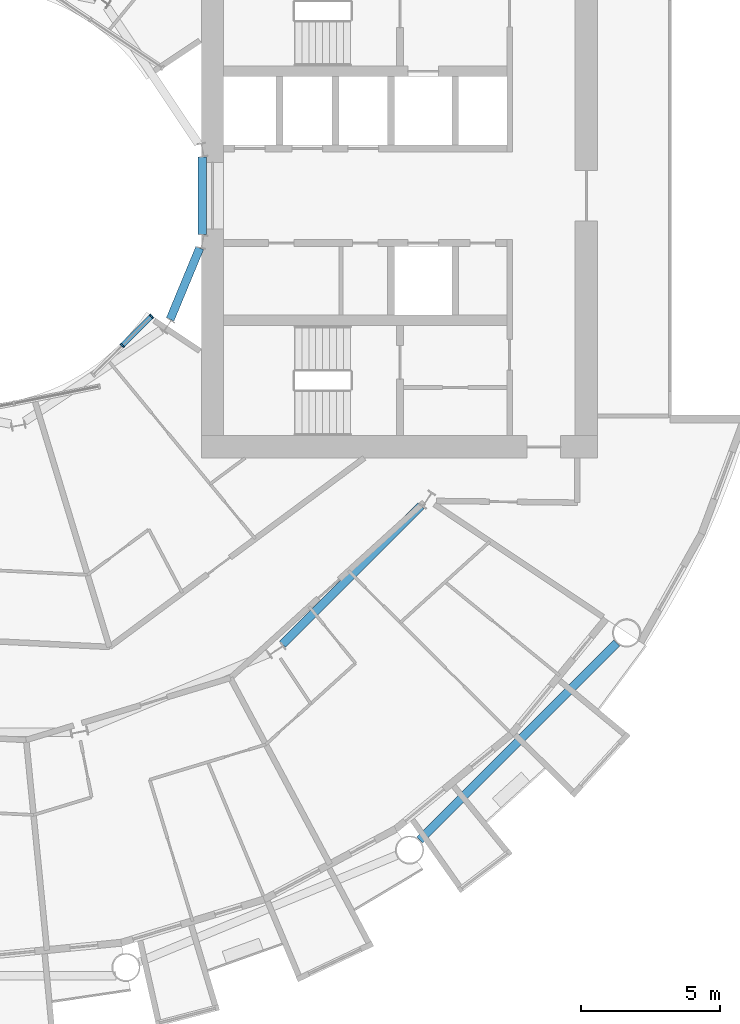
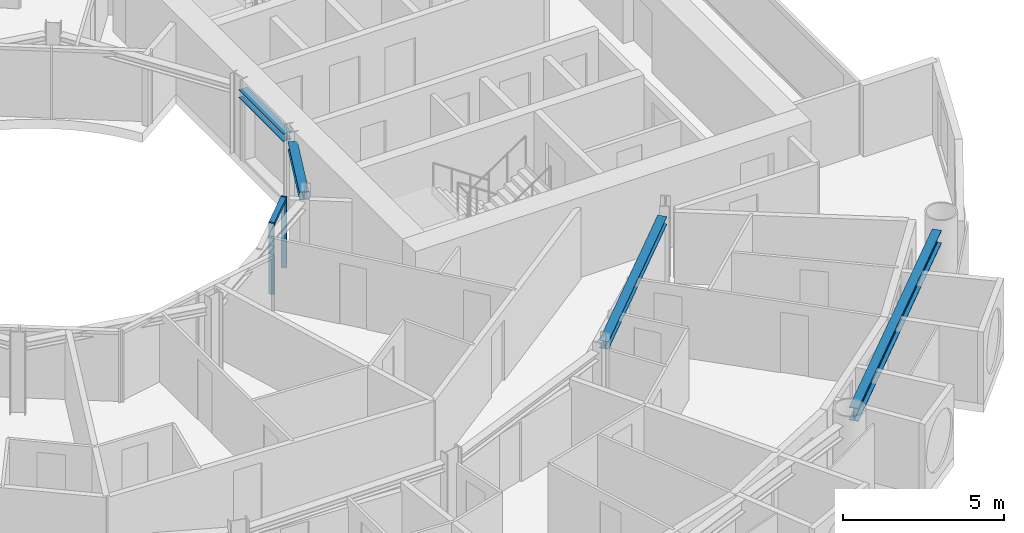
# One storey, part 6 of 26: 4 beams, 3 members, 1 element without a shape of its own.
"""IFC4 building model written with IfcOpenShell, lengths in metres."""

from ifc_helpers import new_model, si_unit, direction, frame, origin, origin_2d, place, context, subcontext, project, spatial, rectangle, i_section, extrude, material, layer, layer_set, material_profile, profile_set, type_object, element, aggregate, save


model = new_model("IFC4")

# Units and contexts
model_context = context("Model", 3, precision=1e-05, world=origin(), true_north=direction((0.0, 1.0)))
body_context = subcontext(model_context, "Body", "Model", "MODEL_VIEW")
ifc_project = project(units=[si_unit("LENGTHUNIT", "METRE"), si_unit("AREAUNIT", "SQUARE_METRE"), si_unit("VOLUMEUNIT", "CUBIC_METRE"), si_unit("PLANEANGLEUNIT", "RADIAN"), si_unit("MASSUNIT", "GRAM", prefix="KILO")], contexts=[model_context])

# Site, building, storey
site_placement = place(None, origin())
site = spatial("IfcSite", under=ifc_project, at=site_placement, CompositionType="ELEMENT")
building_placement = place(site_placement, origin())
building = spatial("IfcBuilding", under=site, at=building_placement, Name="Maasbend Ring Residences", CompositionType="ELEMENT")
storey_placement = place(building_placement, frame((0.0, 0.0, 44.14990234375)))
storey = spatial("IfcBuildingStorey", under=building, at=storey_placement, Name="L12", CompositionType="ELEMENT", Elevation=44.14990234375)

# Curtain wall, members
ifc_material_1 = material(Name="Aluminium and clear glass", Category="aluminium")
ifc_layer = layer(ifc_material_1, 0.179931640625)
ifc_layer_set = layer_set([ifc_layer], Name="CW-W")
curtain_wall_type = type_object("IfcCurtainWallType", Name="CW-W", PredefinedType="NOTDEFINED", material=ifc_layer_set)
curtain_wall_placement = place(storey_placement, origin())
curtain_wall = element("IfcCurtainWall", 1, at=curtain_wall_placement, inside=storey, type_object=curtain_wall_type, Name="Well curtain wall S3", PredefinedType="NOTDEFINED")
ifc_material_2 = material(Name="Aluminium 6063-T6", Category="aluminium")
ifc_material_profile_1 = material_profile(ifc_material_2, rectangle(XDim=0.179931640625, YDim=0.06005859375, at=origin_2d()), Name="AL 180x60")
ifc_profile_set_1 = profile_set([ifc_material_profile_1], Name="Aluminium 6063-T6")
member_type_1 = type_object("IfcMemberType", Name="CWM-W", PredefinedType="MULLION", material=ifc_profile_set_1)
member_1_placement = place(storey_placement, frame((5.366943359375, -5.366943359375, 0.0), z_axis=(0.0, 0.0, 1.0), x_axis=(-0.707106781187, 0.707106781187, 0.0)))
member_1 = element("IfcMember", 2, at=member_1_placement, type_object=member_type_1, Name="Mullion well face", PredefinedType="MULLION", context=body_context, shape_type="SweptSolid", body=[
    extrude(rectangle(XDim=0.179931640625, YDim=0.06005859375, at=origin_2d()), origin(), (0.0, 0.0, 1.0), 2.7001953125),
])
member_2_placement = place(storey_placement, frame((6.413330078125, -4.320556640625, 0.0), z_axis=(0.0, 0.0, 1.0), x_axis=(-0.707106781187, 0.707106781187, 0.0)))
member_2 = element("IfcMember", 3, at=member_2_placement, type_object=member_type_1, Name="Mullion well face", PredefinedType="MULLION", context=body_context, shape_type="SweptSolid", body=[
    extrude(rectangle(XDim=0.179931640625, YDim=0.06005859375, at=origin_2d()), origin(), (0.0, 0.0, 1.0), 2.7001953125),
])
ifc_material_3 = material(Name="Aluminium 6063-T6", Category="aluminium")
ifc_material_profile_2 = material_profile(ifc_material_3, rectangle(XDim=0.179931640625, YDim=0.1201171875, at=origin_2d()), Name="AL 180x120")
ifc_profile_set_2 = profile_set([ifc_material_profile_2], Name="Aluminium 6063-T6")
member_type_2 = type_object("IfcMemberType", Name="CWT-W", PredefinedType="USERDEFINED", material=ifc_profile_set_2)
member_3_placement = place(storey_placement, frame((5.38818359375, -5.345703125, 2.64013671875), z_axis=(0.707106781187, 0.707106781187, 0.0), x_axis=(-0.707106781187, 0.707106781187, 0.0)))
member_3 = element("IfcMember", 4, at=member_3_placement, type_object=member_type_2, Name="Transom well face", ObjectType="TRANSOM", PredefinedType="USERDEFINED", context=body_context, shape_type="SweptSolid", body=[
    extrude(rectangle(XDim=0.179931640625, YDim=0.1201171875, at=origin_2d()), origin(), (0.0, 0.0, 1.0), 1.419677734375),
])
aggregate(curtain_wall, [member_1, member_2, member_3])

# Beams
ifc_material_4 = material(Name="Steel S355J2", Category="steel")
ifc_material_profile_3 = material_profile(ifc_material_4, i_section(OverallWidth=0.300048828125, OverallDepth=0.300048828125, WebThickness=0.010986328125, FlangeThickness=0.01904296875, FilletRadius=0.027099609375, at=origin_2d()), Name="HEB 300")
ifc_profile_set_3 = profile_set([ifc_material_profile_3], Name="Steel S355J2")
beam_type_1 = type_object("IfcBeamType", Name="Corridor ring beam HEB 300", PredefinedType="BEAM", material=ifc_profile_set_3)
beam_1_placement = place(storey_placement, frame((11.11279296875, -16.0732421875, 2.550048828125), z_axis=(0.707106781187, 0.707106781187, 0.0), x_axis=(-0.707106781187, 0.707106781187, 0.0)))
element("IfcBeam", 5, at=beam_1_placement, inside=storey, type_object=beam_type_1, Name="Corridor ring beam", PredefinedType="BEAM", context=body_context, shape_type="SweptSolid", body=[
    extrude(i_section(OverallWidth=0.300048828125, OverallDepth=0.300048828125, WebThickness=0.010986328125, FlangeThickness=0.01904296875, FilletRadius=0.027099609375, at=origin_2d()), origin(), (0.0, 0.0, 1.0), 7.01513671875),
])
ifc_material_5 = material(Name="Steel S355J2", Category="steel")
ifc_material_profile_4 = material_profile(ifc_material_5, i_section(OverallWidth=0.300048828125, OverallDepth=0.5, WebThickness=0.014404296875, FlangeThickness=0.028076171875, FilletRadius=0.027099609375, at=origin_2d()), Name="HEB 500")
ifc_profile_set_4 = profile_set([ifc_material_profile_4], Name="Steel S355J2")
beam_type_2 = type_object("IfcBeamType", Name="Spandrel ring beam HEB 500", PredefinedType="SPANDREL", material=ifc_profile_set_4)
beam_2_placement = place(storey_placement, frame((16.0263671875, -23.088134765625, 2.4501953125), z_axis=(0.707106781187, 0.707106781187, 0.0), x_axis=(-0.707106781187, 0.707106781187, 0.0)))
element("IfcBeam", 6, at=beam_2_placement, inside=storey, type_object=beam_type_2, Name="Spandrel ring beam", PredefinedType="SPANDREL", context=body_context, shape_type="SweptSolid", body=[
    extrude(i_section(OverallWidth=0.300048828125, OverallDepth=0.5, WebThickness=0.014404296875, FlangeThickness=0.028076171875, FilletRadius=0.027099609375, at=origin_2d()), origin(), (0.0, 0.0, 1.0), 9.98681640625),
])
ifc_material_6 = material(Name="Steel S355J2", Category="steel")
ifc_material_profile_5 = material_profile(ifc_material_6, i_section(OverallWidth=0.300048828125, OverallDepth=0.300048828125, WebThickness=0.010986328125, FlangeThickness=0.01904296875, FilletRadius=0.027099609375, at=origin_2d()), Name="HEB 300")
ifc_profile_set_5 = profile_set([ifc_material_profile_5], Name="Steel S355J2")
beam_type_3 = type_object("IfcBeamType", Name="Well edge beam HEB 300", PredefinedType="BEAM", material=ifc_profile_set_5)
beam_3_placement = place(storey_placement, frame((7.081787109375, -4.431396484375, 2.550048828125), z_axis=(0.382723119906, 0.923863092395, 0.0), x_axis=(-0.923863092395, 0.382723119906, 0.0)))
element("IfcBeam", 7, at=beam_3_placement, inside=storey, type_object=beam_type_3, Name="Well edge beam", PredefinedType="BEAM", context=body_context, shape_type="SweptSolid", body=[
    extrude(i_section(OverallWidth=0.300048828125, OverallDepth=0.300048828125, WebThickness=0.010986328125, FlangeThickness=0.01904296875, FilletRadius=0.027099609375, at=origin_2d()), origin(), (0.0, 0.0, 1.0), 2.767822265625),
])
beam_4_placement = place(storey_placement, frame((8.238525390625, -1.3837890625, 2.550048828125), z_axis=(0.0, 1.0, 0.0), x_axis=(-1.0, 0.0, 0.0)))
element("IfcBeam", 8, at=beam_4_placement, inside=storey, type_object=beam_type_3, Name="Well edge beam", PredefinedType="BEAM", context=body_context, shape_type="SweptSolid", body=[
    extrude(i_section(OverallWidth=0.300048828125, OverallDepth=0.300048828125, WebThickness=0.010986328125, FlangeThickness=0.01904296875, FilletRadius=0.027099609375, at=origin_2d()), origin(), (0.0, 0.0, 1.0), 2.767578125),
])

save(model, "model.ifc")
